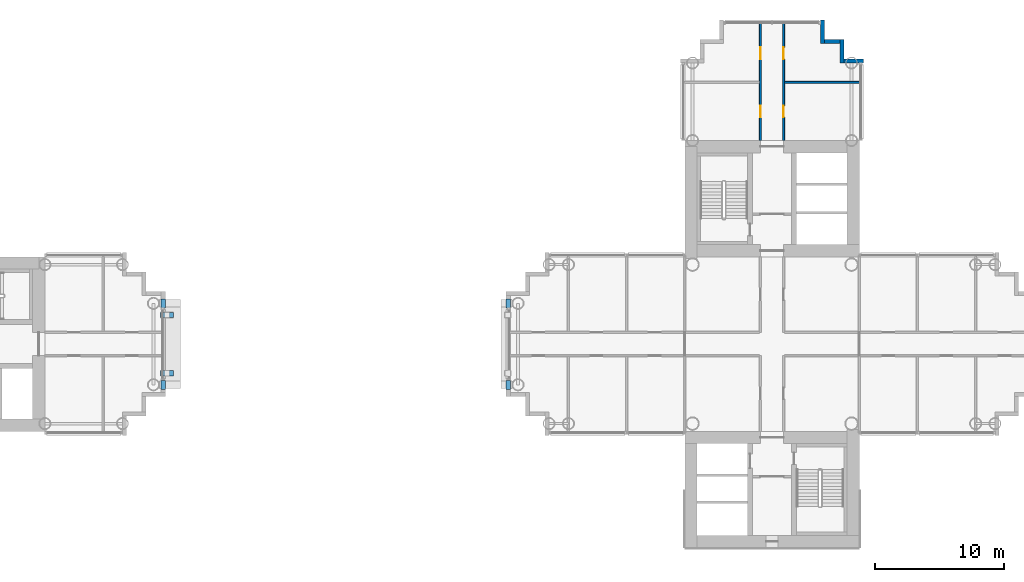
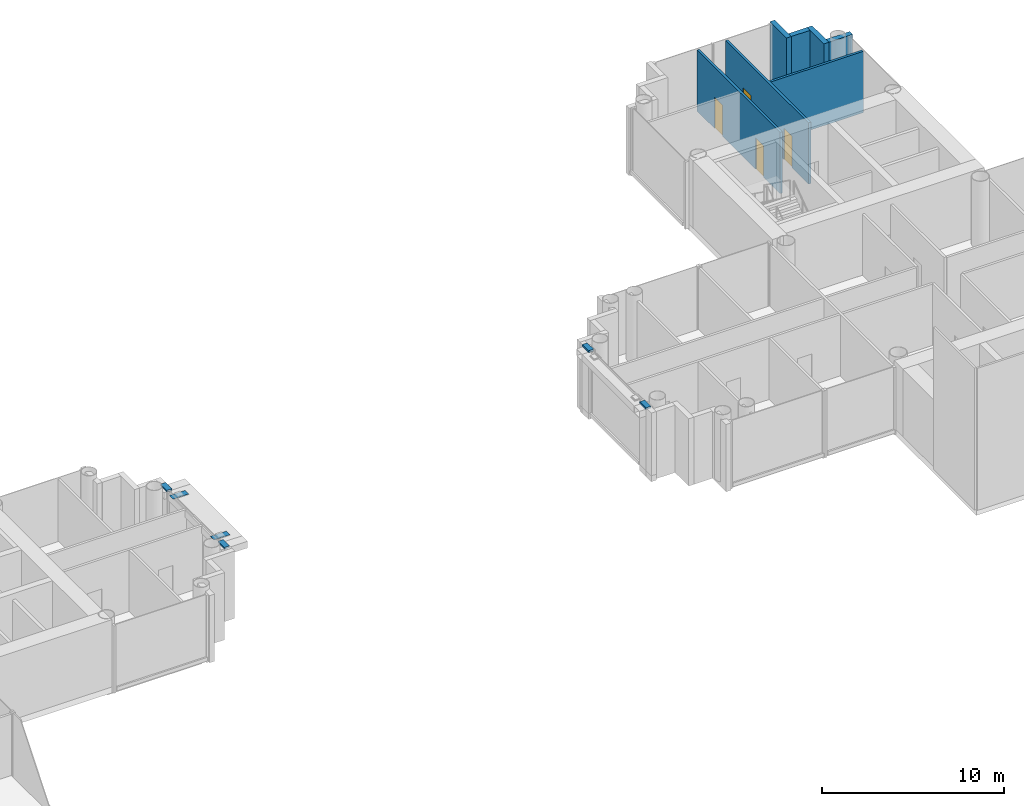
# One storey, part 15 of 20: 11 walls, 4 doors, 2 discrete accessories, 4 openings.
"""IFC4 building model written with IfcOpenShell, lengths in metres."""

from ifc_helpers import new_model, si_unit, direction, frame, frame_2d, origin, origin_2d, place, context, subcontext, project, spatial, rectangle, extrude, material, layer, layer_set, type_object, element, fill, save


model = new_model("IFC4")

# Units and contexts
model_context = context("Model", 3, precision=1e-05, world=origin(), true_north=direction((0.0, 1.0)))
body_context = subcontext(model_context, "Body", "Model", "MODEL_VIEW")
ifc_project = project(units=[si_unit("LENGTHUNIT", "METRE"), si_unit("AREAUNIT", "SQUARE_METRE"), si_unit("VOLUMEUNIT", "CUBIC_METRE"), si_unit("PLANEANGLEUNIT", "RADIAN"), si_unit("MASSUNIT", "GRAM", prefix="KILO")], contexts=[model_context])

# Site, building, storey
site_placement = place(None, origin())
site = spatial("IfcSite", under=ifc_project, at=site_placement, CompositionType="ELEMENT")
building_placement = place(site_placement, origin())
building = spatial("IfcBuilding", under=site, at=building_placement, Name="Ipe Terrace Towers", CompositionType="ELEMENT")
storey_placement = place(building_placement, frame((0.0, 0.0, 124.199951171875)))
storey = spatial("IfcBuildingStorey", under=building, at=storey_placement, Name="L34", CompositionType="ELEMENT", Elevation=124.199951171875)

# Walls
ifc_material_1 = material(Name="Concrete C40/50 with buff precast cladding", Category="concrete")
ifc_layer_1 = layer(ifc_material_1, 0.320068359375)
ifc_layer_set_1 = layer_set([ifc_layer_1], Name="BUFF CLADDING WALL 320")
wall_type_1 = type_object("IfcWallType", Name="BUFF CLADDING WALL 320", PredefinedType="STANDARD", material=ifc_layer_set_1)
for number, where, z_axis, x_axis, name in (
    (1, (-11.090087890625, -3.5, 4.080078125), (0.0, 0.0, 1.0), (0.0, 1.0, 0.0), "T1-W-L34-25c wall"),
    (2, (-11.090087890625, 2.800048828125, 4.080078125), (0.0, 0.0, 1.0), (0.0, 1.0, 0.0), "T1-W-L34-25f wall"),
):
    element("IfcWall", number, at=place(storey_placement, frame(where, z_axis=z_axis, x_axis=x_axis)), inside=storey, type_object=wall_type_1, Name=name, PredefinedType="STANDARD", context=body_context, shape_type="SweptSolid", body=[
        extrude(rectangle(XDim=0.699951171875, YDim=0.320068359375, at=frame_2d((0.35009765625, 0.0))), origin(), (0.0, 0.0, 1.0), 0.119873046875),
    ])
wall_1_placement = place(storey_placement, frame((43.070068359375, 21.909912109375, -0.300048828125), z_axis=(0.0, 0.0, 1.0), x_axis=(-1.0, 0.0, 0.0)))
element("IfcWall", 3, at=wall_1_placement, inside=storey, type_object=wall_type_1, Name="T2-W-L34-17a wall", PredefinedType="STANDARD", context=body_context, shape_type="SweptSolid", body=[
    extrude(rectangle(XDim=1.5, YDim=0.320068359375, at=frame_2d((0.75, 0.0))), origin(), (0.0, 0.0, 1.0), 4.5),
])
wall_2_placement = place(storey_placement, frame((41.409912109375, 21.75, -0.300048828125), z_axis=(0.0, 0.0, 1.0), x_axis=(0.0, 1.0, 0.0)))
element("IfcWall", 4, at=wall_2_placement, inside=storey, type_object=wall_type_1, Name="T2-W-L34-18a wall", PredefinedType="STANDARD", context=body_context, shape_type="SweptSolid", body=[
    extrude(rectangle(XDim=1.820068359375, YDim=0.320068359375, at=frame_2d((0.91015625, 0.0))), origin(), (0.0, 0.0, 1.0), 4.5),
])
wall_3_placement = place(storey_placement, frame((41.25, 23.409912109375, -0.300048828125), z_axis=(0.0, 0.0, 1.0), x_axis=(-1.0, 0.0, 0.0)))
element("IfcWall", 5, at=wall_3_placement, inside=storey, type_object=wall_type_1, Name="T2-W-L34-19a wall", PredefinedType="STANDARD", context=body_context, shape_type="SweptSolid", body=[
    extrude(rectangle(XDim=1.179931640625, YDim=0.320068359375, at=frame_2d((0.58984375, 0.0))), origin(), (0.0, 0.0, 1.0), 4.5),
])
wall_4_placement = place(storey_placement, frame((39.909912109375, 23.25, -0.300048828125), z_axis=(0.0, 0.0, 1.0), x_axis=(0.0, 1.0, 0.0)))
element("IfcWall", 6, at=wall_4_placement, inside=storey, type_object=wall_type_1, Name="T2-W-L34-20a wall", PredefinedType="STANDARD", context=body_context, shape_type="SweptSolid", body=[
    extrude(rectangle(XDim=1.820068359375, YDim=0.320068359375, at=frame_2d((0.91015625, 0.0))), origin(), (0.0, 0.0, 1.0), 4.5),
])
for number, where, z_axis, x_axis, name in (
    (7, (15.590087890625, 3.5, 4.080078125), (0.0, 0.0, 1.0), (0.0, -1.0, 0.0), "T2-W-L34-34c wall"),
    (8, (15.590087890625, -2.800048828125, 4.080078125), (0.0, 0.0, 1.0), (0.0, -1.0, 0.0), "T2-W-L34-34f wall"),
):
    element("IfcWall", number, at=place(storey_placement, frame(where, z_axis=z_axis, x_axis=x_axis)), inside=storey, type_object=wall_type_1, Name=name, PredefinedType="STANDARD", context=body_context, shape_type="SweptSolid", body=[
        extrude(rectangle(XDim=0.699951171875, YDim=0.320068359375, at=frame_2d((0.35009765625, 0.0))), origin(), (0.0, 0.0, 1.0), 0.119873046875),
    ])

# Wall, openings, doors
ifc_material_2 = material(Name="Gypsum board partition", Category="plasterboard")
ifc_layer_2 = layer(ifc_material_2, 0.14990234375)
ifc_layer_set_2 = layer_set([ifc_layer_2], Name="Gypsum board partition 150 mm")
wall_type_2 = type_object("IfcWallType", Name="Gypsum board partition 150 mm", PredefinedType="PARTITIONING", material=ifc_layer_set_2)
wall_5_placement = place(storey_placement, frame((35.10009765625, 15.75, 0.0), z_axis=(0.0, 0.0, 1.0), x_axis=(0.0, 1.0, 0.0)))
wall_5 = element("IfcWall", 9, at=wall_5_placement, inside=storey, type_object=wall_type_2, Name="Gypsum board partition T2 L34 sp-Lp-wp", PredefinedType="PARTITIONING", context=body_context, shape_type="SweptSolid", body=[
    extrude(rectangle(XDim=9.10009765625, YDim=0.14990234375, at=frame_2d((4.550048828125, 0.0))), origin(), (0.0, 0.0, 1.0), 4.10009765625),
])
opening_1_placement = place(wall_5_placement, frame((1.800048828125, 0.0, 0.0)))
opening_1 = element("IfcOpeningElement", 10, at=opening_1_placement, cuts=wall_5, Name="Opening T2-SP-PLp1-FD60", PredefinedType="OPENING", context=body_context, shape_type="SweptSolid", body=[
    extrude(rectangle(XDim=0.89990234375, YDim=2.10009765625, at=frame_2d((0.449951171875, 1.050048828125))), frame((0.0, 0.0849609375, 0.0), z_axis=(0.0, -1.0, 0.0), x_axis=(1.0, 0.0, 0.0)), (0.0, 0.0, 1.0), 0.169921875),
])
opening_2_placement = place(wall_5_placement, frame((6.300048828125, 0.0, 0.0)))
opening_2 = element("IfcOpeningElement", 11, at=opening_2_placement, cuts=wall_5, Name="Opening T2-SP-PLp2-FD60", PredefinedType="OPENING", context=body_context, shape_type="SweptSolid", body=[
    extrude(rectangle(XDim=0.89990234375, YDim=2.10009765625, at=frame_2d((0.449951171875, 1.050048828125))), frame((0.0, 0.0849609375, 0.0), z_axis=(0.0, -1.0, 0.0), x_axis=(1.0, 0.0, 0.0)), (0.0, 0.0, 1.0), 0.169921875),
])
ifc_material_3 = material(Name="Fire-rated timber door leaf", Category="wood")
door_type = type_object("IfcDoorType", Name="Service door 900 x 2100 FD60", OperationType="NOTDEFINED", PredefinedType="DOOR", material=ifc_material_3)
door_1_placement = place(opening_1_placement, origin())
door_1 = element("IfcDoor", 12, at=door_1_placement, inside=storey, type_object=door_type, Name="Service door T2-SP-PLp1-FD60", OperationType="SINGLE_SWING_RIGHT", OverallHeight=2.10009765625, OverallWidth=0.89990234375, PredefinedType="DOOR", context=body_context, shape_type="SweptSolid", body=[
    extrude(rectangle(XDim=0.89990234375, YDim=2.10009765625, at=frame_2d((0.449951171875, 1.050048828125))), frame((0.0, 0.02490234375, 0.0), z_axis=(0.0, -1.0, 0.0), x_axis=(1.0, 0.0, 0.0)), (0.0, 0.0, 1.0), 0.050048828125),
])
fill(opening_1, door_1)
door_2_placement = place(opening_2_placement, origin())
door_2 = element("IfcDoor", 13, at=door_2_placement, inside=storey, type_object=door_type, Name="Service door T2-SP-PLp2-FD60", OperationType="SINGLE_SWING_LEFT", OverallHeight=2.10009765625, OverallWidth=0.89990234375, PredefinedType="DOOR", context=body_context, shape_type="SweptSolid", body=[
    extrude(rectangle(XDim=0.89990234375, YDim=2.10009765625, at=frame_2d((0.449951171875, 1.050048828125))), frame((0.0, 0.02490234375, 0.0), z_axis=(0.0, -1.0, 0.0), x_axis=(1.0, 0.0, 0.0)), (0.0, 0.0, 1.0), 0.050048828125),
])
fill(opening_2, door_2)

wall_6_placement = place(storey_placement, frame((36.89990234375, 15.75, 0.0), z_axis=(0.0, 0.0, 1.0), x_axis=(0.0, 1.0, 0.0)))
wall_6 = element("IfcWall", 14, at=wall_6_placement, inside=storey, type_object=wall_type_2, Name="Gypsum board partition T2 L34 sp-Lp-wm", PredefinedType="PARTITIONING", context=body_context, shape_type="SweptSolid", body=[
    extrude(rectangle(XDim=9.10009765625, YDim=0.14990234375, at=frame_2d((4.550048828125, 0.0))), origin(), (0.0, 0.0, 1.0), 4.10009765625),
])
opening_3_placement = place(wall_6_placement, frame((1.800048828125, 0.0, 0.0)))
opening_3 = element("IfcOpeningElement", 15, at=opening_3_placement, cuts=wall_6, Name="Opening T2-SP-MLp1-FD60", PredefinedType="OPENING", context=body_context, shape_type="SweptSolid", body=[
    extrude(rectangle(XDim=0.89990234375, YDim=2.10009765625, at=frame_2d((0.449951171875, 1.050048828125))), frame((0.0, 0.0849609375, 0.0), z_axis=(0.0, -1.0, 0.0), x_axis=(1.0, 0.0, 0.0)), (0.0, 0.0, 1.0), 0.169921875),
])
opening_4_placement = place(wall_6_placement, frame((6.300048828125, 0.0, 0.0)))
opening_4 = element("IfcOpeningElement", 16, at=opening_4_placement, cuts=wall_6, Name="Opening T2-SP-MLp2-FD60", PredefinedType="OPENING", context=body_context, shape_type="SweptSolid", body=[
    extrude(rectangle(XDim=0.89990234375, YDim=2.10009765625, at=frame_2d((0.449951171875, 1.050048828125))), frame((0.0, 0.0849609375, 0.0), z_axis=(0.0, -1.0, 0.0), x_axis=(1.0, 0.0, 0.0)), (0.0, 0.0, 1.0), 0.169921875),
])
door_3_placement = place(opening_3_placement, origin())
door_3 = element("IfcDoor", 17, at=door_3_placement, inside=storey, type_object=door_type, Name="Service door T2-SP-MLp1-FD60", OperationType="SINGLE_SWING_LEFT", OverallHeight=2.10009765625, OverallWidth=0.89990234375, PredefinedType="DOOR", context=body_context, shape_type="SweptSolid", body=[
    extrude(rectangle(XDim=0.89990234375, YDim=2.10009765625, at=frame_2d((0.449951171875, 1.050048828125))), frame((0.0, 0.02490234375, 0.0), z_axis=(0.0, -1.0, 0.0), x_axis=(1.0, 0.0, 0.0)), (0.0, 0.0, 1.0), 0.050048828125),
])
fill(opening_3, door_3)
door_4_placement = place(opening_4_placement, origin())
door_4 = element("IfcDoor", 18, at=door_4_placement, inside=storey, type_object=door_type, Name="Service door T2-SP-MLp2-FD60", OperationType="SINGLE_SWING_RIGHT", OverallHeight=2.10009765625, OverallWidth=0.89990234375, PredefinedType="DOOR", context=body_context, shape_type="SweptSolid", body=[
    extrude(rectangle(XDim=0.89990234375, YDim=2.10009765625, at=frame_2d((0.449951171875, 1.050048828125))), frame((0.0, 0.02490234375, 0.0), z_axis=(0.0, -1.0, 0.0), x_axis=(1.0, 0.0, 0.0)), (0.0, 0.0, 1.0), 0.050048828125),
])
fill(opening_4, door_4)

# Wall
wall_7_placement = place(storey_placement, frame((36.97509765625, 20.25, 0.0), z_axis=(0.0, 0.0, 1.0), x_axis=(1.0, 0.0, 0.0)))
element("IfcWall", 19, at=wall_7_placement, inside=storey, type_object=wall_type_2, Name="Gypsum board partition T2 L34 sp-Lp-dm1", PredefinedType="PARTITIONING", context=body_context, shape_type="SweptSolid", body=[
    extrude(rectangle(XDim=5.875, YDim=0.14990234375, at=frame_2d((2.9375, 0.0))), origin(), (0.0, 0.0, 1.0), 4.10009765625),
])

# Discrete accessories
ifc_material_4 = material(Name="PTFE sheet over stainless steel", Category="steel")
discrete_accessory_type = type_object("IfcDiscreteAccessoryType", Name="BRIDGE-PTFE SLIDING PLATE 1000x400x10", PredefinedType="USERDEFINED", material=ifc_material_4)
for number, where, z_axis, x_axis, name in (
    (20, (-10.800048828125, -2.25, 4.080078125), (0.0, 0.0, 1.0), (1.0, 0.0, 0.0), "BR2-PT-T1-S PTFE sliding plate"),
    (21, (-10.800048828125, 2.25, 4.080078125), (0.0, 0.0, 1.0), (1.0, 0.0, 0.0), "BR2-PT-T1-N PTFE sliding plate"),
):
    element("IfcDiscreteAccessory", number, at=place(storey_placement, frame(where, z_axis=z_axis, x_axis=x_axis)), inside=storey, type_object=discrete_accessory_type, Name=name, ObjectType="PTFE SLIDING PLATE", PredefinedType="USERDEFINED", context=body_context, shape_type="SweptSolid", body=[
        extrude(rectangle(XDim=1.0, YDim=0.39990234375, at=origin_2d()), origin(), (0.0, 0.0, 1.0), 0.010009765625),
    ])

save(model, "model.ifc")
